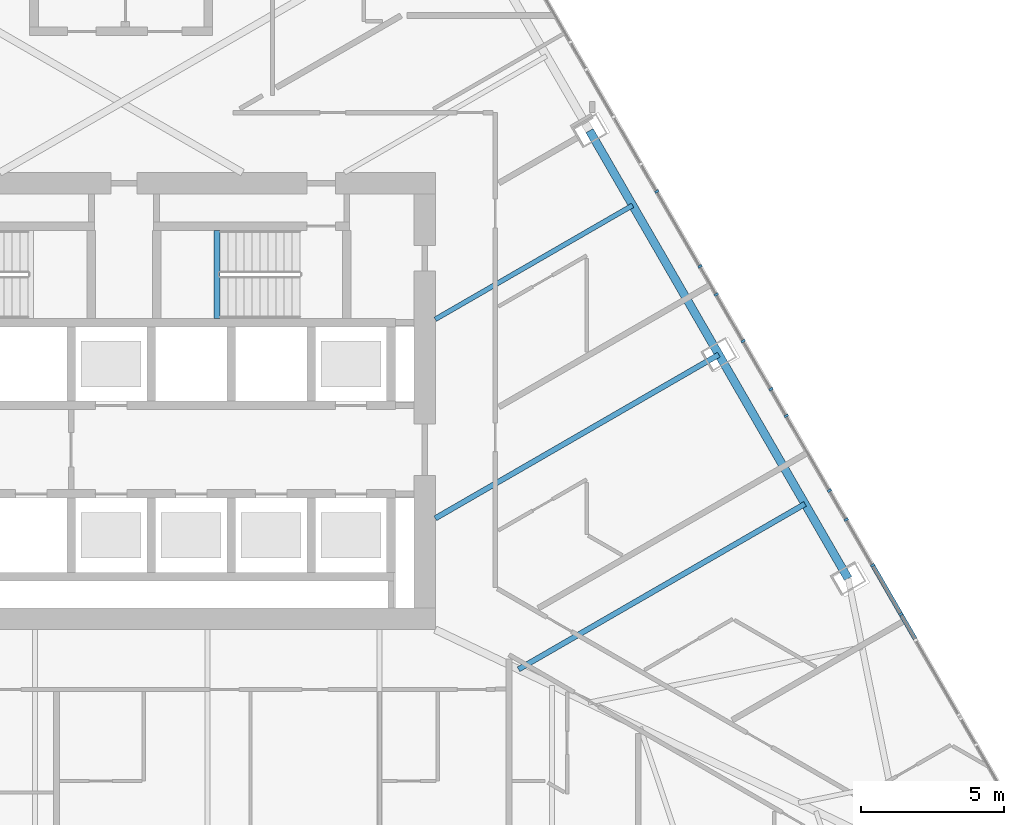
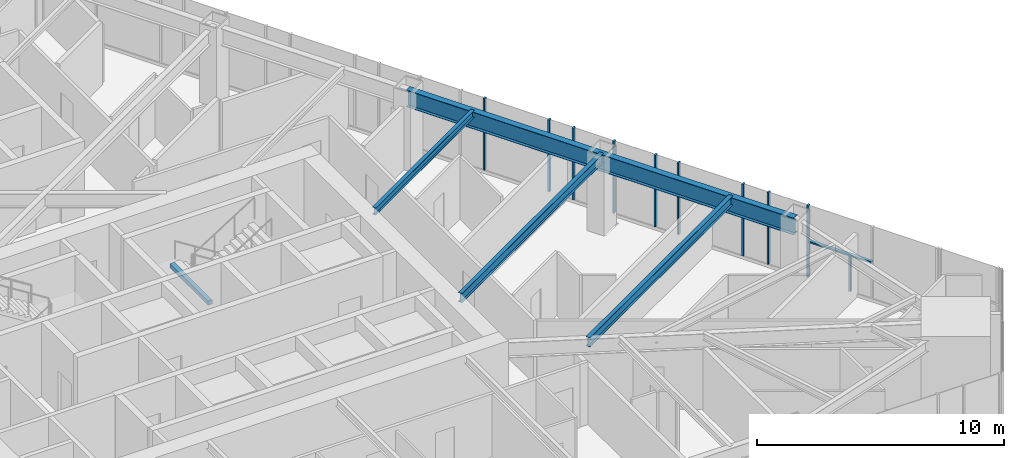
# One storey, part 7 of 35: 11 members, 5 beams, 1 element without a shape of its own.
"""IFC4 building model written with IfcOpenShell, lengths in metres."""

from ifc_helpers import new_model, si_unit, direction, frame, origin, origin_2d, place, context, subcontext, project, spatial, rectangle, i_section, extrude, material, layer, layer_set, material_profile, profile_set, type_object, element, aggregate, save


model = new_model("IFC4")

# Units and contexts
model_context = context("Model", 3, precision=1e-05, world=origin(), true_north=direction((0.0, 1.0)))
body_context = subcontext(model_context, "Body", "Model", "MODEL_VIEW")
ifc_project = project(units=[si_unit("LENGTHUNIT", "METRE"), si_unit("AREAUNIT", "SQUARE_METRE"), si_unit("VOLUMEUNIT", "CUBIC_METRE"), si_unit("PLANEANGLEUNIT", "RADIAN"), si_unit("MASSUNIT", "GRAM", prefix="KILO")], contexts=[model_context])

# Site, building, storey
site_placement = place(None, origin())
site = spatial("IfcSite", under=ifc_project, at=site_placement, CompositionType="ELEMENT")
building_placement = place(site_placement, origin())
building = spatial("IfcBuilding", under=site, at=building_placement, Name="Firuza Gate Tower and Library", CompositionType="ELEMENT")
storey_placement = place(building_placement, frame((0.0, 0.0, 159.699951171875)))
storey = spatial("IfcBuildingStorey", under=building, at=storey_placement, Name="L36", CompositionType="ELEMENT", Elevation=159.699951171875)

# Curtain wall, members
ifc_material_1 = material(Name="Aluminium 6063-T6", Category="aluminium")
ifc_layer = layer(ifc_material_1, 0.14990234375)
ifc_layer_set = layer_set([ifc_layer], Name="Unitised curtain wall, hotel")
curtain_wall_type = type_object("IfcCurtainWallType", Name="Unitised curtain wall, hotel", PredefinedType="NOTDEFINED", material=ifc_layer_set)
curtain_wall_placement = place(storey_placement, origin())
curtain_wall = element("IfcCurtainWall", 1, at=curtain_wall_placement, inside=storey, type_object=curtain_wall_type, Name="CW2 L36 E face", PredefinedType="NOTDEFINED")
ifc_material_2 = material(Name="Aluminium 6063-T6", Category="aluminium")
ifc_material_profile_1 = material_profile(ifc_material_2, rectangle(XDim=0.14990234375, YDim=0.080078125, at=origin_2d()))
ifc_profile_set_1 = profile_set([ifc_material_profile_1], Name="Aluminium 6063-T6")
member_type_1 = type_object("IfcMemberType", Name="Curtain wall mullion 80x150", PredefinedType="MULLION", material=ifc_profile_set_1)
member_1_placement = place(storey_placement, frame((101.314208984375, 69.25, 0.150146484375), z_axis=(0.0, 0.0, 1.0), x_axis=(-0.866025403784, -0.5, 0.0)))
member_1 = element("IfcMember", 2, at=member_1_placement, type_object=member_type_1, Name="Mullion", PredefinedType="MULLION", context=body_context, shape_type="SweptSolid", body=[
    extrude(rectangle(XDim=0.14990234375, YDim=0.080078125, at=origin_2d()), origin(), (0.0, 0.0, 1.0), 3.5498046875),
])
member_2_placement = place(storey_placement, frame((99.802978515625, 71.867919921875, 0.150146484375), z_axis=(0.0, 0.0, 1.0), x_axis=(-0.866025403784, -0.5, 0.0)))
member_2 = element("IfcMember", 3, at=member_2_placement, type_object=member_type_1, Name="Mullion", PredefinedType="MULLION", context=body_context, shape_type="SweptSolid", body=[
    extrude(rectangle(XDim=0.14990234375, YDim=0.080078125, at=origin_2d()), origin(), (0.0, 0.0, 1.0), 3.5498046875),
])
member_3_placement = place(storey_placement, frame((98.29150390625, 74.485595703125, 0.150146484375), z_axis=(0.0, 0.0, 1.0), x_axis=(-0.866025403784, -0.5, 0.0)))
member_3 = element("IfcMember", 4, at=member_3_placement, type_object=member_type_1, Name="Mullion", PredefinedType="MULLION", context=body_context, shape_type="SweptSolid", body=[
    extrude(rectangle(XDim=0.14990234375, YDim=0.080078125, at=origin_2d()), origin(), (0.0, 0.0, 1.0), 3.5498046875),
])
member_4_placement = place(storey_placement, frame((96.780029296875, 77.103515625, 0.150146484375), z_axis=(0.0, 0.0, 1.0), x_axis=(-0.866025403784, -0.5, 0.0)))
member_4 = element("IfcMember", 5, at=member_4_placement, type_object=member_type_1, Name="Mullion", PredefinedType="MULLION", context=body_context, shape_type="SweptSolid", body=[
    extrude(rectangle(XDim=0.14990234375, YDim=0.080078125, at=origin_2d()), origin(), (0.0, 0.0, 1.0), 3.5498046875),
])
member_5_placement = place(storey_placement, frame((95.268798828125, 79.72119140625, 0.150146484375), z_axis=(0.0, 0.0, 1.0), x_axis=(-0.866025403784, -0.5, 0.0)))
member_5 = element("IfcMember", 6, at=member_5_placement, type_object=member_type_1, Name="Mullion", PredefinedType="MULLION", context=body_context, shape_type="SweptSolid", body=[
    extrude(rectangle(XDim=0.14990234375, YDim=0.080078125, at=origin_2d()), origin(), (0.0, 0.0, 1.0), 3.5498046875),
])
member_6_placement = place(storey_placement, frame((93.75732421875, 82.339111328125, 0.150146484375), z_axis=(0.0, 0.0, 1.0), x_axis=(-0.866025403784, -0.5, 0.0)))
member_6 = element("IfcMember", 7, at=member_6_placement, type_object=member_type_1, Name="Mullion", PredefinedType="MULLION", context=body_context, shape_type="SweptSolid", body=[
    extrude(rectangle(XDim=0.14990234375, YDim=0.080078125, at=origin_2d()), origin(), (0.0, 0.0, 1.0), 3.5498046875),
])
member_7_placement = place(storey_placement, frame((102.302001953125, 67.5390625, 0.150146484375), z_axis=(0.0, 0.0, 1.0), x_axis=(-0.866025403784, -0.5, 0.0)))
member_7 = element("IfcMember", 8, at=member_7_placement, type_object=member_type_1, Name="Mullion", PredefinedType="MULLION", context=body_context, shape_type="SweptSolid", body=[
    extrude(rectangle(XDim=0.14990234375, YDim=0.080078125, at=origin_2d()), origin(), (0.0, 0.0, 1.0), 1.73486328125),
])
member_8_placement = place(storey_placement, frame((100.3896484375, 70.851318359375, 0.150146484375), z_axis=(0.0, 0.0, 1.0), x_axis=(-0.866025403784, -0.5, 0.0)))
member_8 = element("IfcMember", 9, at=member_8_placement, type_object=member_type_1, Name="Mullion", PredefinedType="MULLION", context=body_context, shape_type="SweptSolid", body=[
    extrude(rectangle(XDim=0.14990234375, YDim=0.080078125, at=origin_2d()), origin(), (0.0, 0.0, 1.0), 3.5498046875),
])
member_9_placement = place(storey_placement, frame((97.751953125, 75.419921875, 0.150146484375), z_axis=(0.0, 0.0, 1.0), x_axis=(-0.866025403784, -0.5, 0.0)))
member_9 = element("IfcMember", 10, at=member_9_placement, type_object=member_type_1, Name="Mullion", PredefinedType="MULLION", context=body_context, shape_type="SweptSolid", body=[
    extrude(rectangle(XDim=0.14990234375, YDim=0.080078125, at=origin_2d()), origin(), (0.0, 0.0, 1.0), 3.5498046875),
])
member_10_placement = place(storey_placement, frame((95.83984375, 78.732177734375, 0.150146484375), z_axis=(0.0, 0.0, 1.0), x_axis=(-0.866025403784, -0.5, 0.0)))
member_10 = element("IfcMember", 11, at=member_10_placement, type_object=member_type_1, Name="Mullion", PredefinedType="MULLION", context=body_context, shape_type="SweptSolid", body=[
    extrude(rectangle(XDim=0.14990234375, YDim=0.080078125, at=origin_2d()), origin(), (0.0, 0.0, 1.0), 3.5498046875),
])
ifc_material_3 = material(Name="Aluminium 6063-T6", Category="aluminium")
ifc_material_profile_2 = material_profile(ifc_material_3, rectangle(XDim=0.14990234375, YDim=0.080078125, at=origin_2d()))
ifc_profile_set_2 = profile_set([ifc_material_profile_2], Name="Aluminium 6063-T6")
member_type_2 = type_object("IfcMemberType", Name="Curtain wall transom 80x150", PredefinedType="USERDEFINED", material=ifc_profile_set_2)
member_11_placement = place(storey_placement, frame((102.8056640625, 66.666748046875, 1.925048828125), z_axis=(-0.500002522405, 0.866023947468, 0.0), x_axis=(-0.866023947468, -0.500002522405, 0.0)))
member_11 = element("IfcMember", 12, at=member_11_placement, type_object=member_type_2, Name="Transom", ObjectType="TRANSOM", PredefinedType="USERDEFINED", context=body_context, shape_type="SweptSolid", body=[
    extrude(rectangle(XDim=0.14990234375, YDim=0.080078125, at=origin_2d()), origin(), (0.0, 0.0, 1.0), 2.94287109375),
])
aggregate(curtain_wall, [member_1, member_2, member_3, member_4, member_5, member_6, member_7, member_11, member_8, member_9, member_10])

# Beams
ifc_material_4 = material(Name="Concrete C35/45", Category="concrete")
ifc_material_profile_3 = material_profile(ifc_material_4, rectangle(XDim=0.199951171875, YDim=0.199951171875, at=origin_2d()))
ifc_profile_set_3 = profile_set([ifc_material_profile_3], Name="Concrete C35/45")
beam_type_1 = type_object("IfcBeamType", Name="Stair landing bearer 200x200", PredefinedType="BEAM", material=ifc_profile_set_3)
beam_1_placement = place(storey_placement, frame((78.360107421875, 80.97998046875, 1.650146484375), z_axis=(0.0, -1.0, 0.0), x_axis=(1.0, 0.0, 0.0)))
element("IfcBeam", 13, at=beam_1_placement, inside=storey, type_object=beam_type_1, Name="Landing bearer L36 stair 2", PredefinedType="BEAM", context=body_context, shape_type="SweptSolid", body=[
    extrude(rectangle(XDim=0.199951171875, YDim=0.199951171875, at=origin_2d()), origin(), (0.0, 0.0, 1.0), 3.080078125),
])
ifc_material_5 = material(Name="Steel S355", Category="steel")
ifc_material_profile_4 = material_profile(ifc_material_5, i_section(OverallWidth=0.1708984375, OverallDepth=0.35498046875, WebThickness=0.007080078125, FlangeThickness=0.01171875, at=origin_2d()))
ifc_profile_set_4 = profile_set([ifc_material_profile_4], Name="Steel S355")
beam_type_2 = type_object("IfcBeamType", Name="W360x51 Floor beam", PredefinedType="JOIST", material=ifc_profile_set_4)
beam_2_placement = place(storey_placement, frame((92.91064453125, 81.855712890625, 3.5224609375), z_axis=(-0.866031719379, -0.499989060909, 0.0), x_axis=(0.499989060909, -0.866031719379, 0.0)))
element("IfcBeam", 14, at=beam_2_placement, inside=storey, type_object=beam_type_2, Name="Floor beam L36 s52", PredefinedType="JOIST", context=body_context, shape_type="SweptSolid", body=[
    extrude(i_section(OverallWidth=0.1708984375, OverallDepth=0.35498046875, WebThickness=0.007080078125, FlangeThickness=0.01171875, at=origin_2d()), origin(), (0.0, 0.0, 1.0), 7.979736328125),
])
ifc_material_6 = material(Name="Steel S355", Category="steel")
ifc_material_profile_5 = material_profile(ifc_material_6, i_section(OverallWidth=0.18994140625, OverallDepth=0.45703125, WebThickness=0.009033203125, FlangeThickness=0.014404296875, at=origin_2d()))
ifc_profile_set_5 = profile_set([ifc_material_profile_5], Name="Steel S355")
beam_type_3 = type_object("IfcBeamType", Name="W460x74 Floor beam", PredefinedType="JOIST", material=ifc_profile_set_5)
beam_3_placement = place(storey_placement, frame((98.946533203125, 71.401123046875, 3.471435546875), z_axis=(-0.866030793339, -0.499990664901, 0.0), x_axis=(0.499990664901, -0.866030793339, 0.0)))
element("IfcBeam", 15, at=beam_3_placement, inside=storey, type_object=beam_type_3, Name="Floor beam L36 s50", PredefinedType="JOIST", context=body_context, shape_type="SweptSolid", body=[
    extrude(i_section(OverallWidth=0.18994140625, OverallDepth=0.45703125, WebThickness=0.009033203125, FlangeThickness=0.014404296875, at=origin_2d()), origin(), (0.0, 0.0, 1.0), 11.582763671875),
])
beam_4_placement = place(storey_placement, frame((95.928466796875, 76.62841796875, 3.471435546875), z_axis=(-0.866026357233, -0.499998348575, 0.0), x_axis=(0.499998348575, -0.866026357233, 0.0)))
element("IfcBeam", 16, at=beam_4_placement, inside=storey, type_object=beam_type_3, Name="Floor beam L36 s51", PredefinedType="JOIST", context=body_context, shape_type="SweptSolid", body=[
    extrude(i_section(OverallWidth=0.18994140625, OverallDepth=0.45703125, WebThickness=0.009033203125, FlangeThickness=0.014404296875, at=origin_2d()), origin(), (0.0, 0.0, 1.0), 11.46435546875),
])
ifc_material_7 = material(Name="Steel S355", Category="steel")
ifc_material_profile_6 = material_profile(ifc_material_7, i_section(OverallWidth=0.2919921875, OverallDepth=0.8349609375, WebThickness=0.013916015625, FlangeThickness=0.018798828125, at=origin_2d()))
ifc_profile_set_6 = profile_set([ifc_material_profile_6], Name="Steel S355")
beam_type_4 = type_object("IfcBeamType", Name="W840x176 Edge beam", PredefinedType="SPANDREL", material=ifc_profile_set_6)
beam_5_placement = place(storey_placement, frame((100.45556640625, 68.78759765625, 3.282470703125), z_axis=(-0.500000608324, 0.866025052568, 0.0), x_axis=(-0.866025052568, -0.500000608324, 0.0)))
element("IfcBeam", 17, at=beam_5_placement, inside=storey, type_object=beam_type_4, Name="Edge beam L36 e50", PredefinedType="SPANDREL", context=body_context, shape_type="SweptSolid", body=[
    extrude(i_section(OverallWidth=0.2919921875, OverallDepth=0.8349609375, WebThickness=0.013916015625, FlangeThickness=0.018798828125, at=origin_2d()), origin(), (0.0, 0.0, 1.0), 18.10791015625),
])

save(model, "model.ifc")
